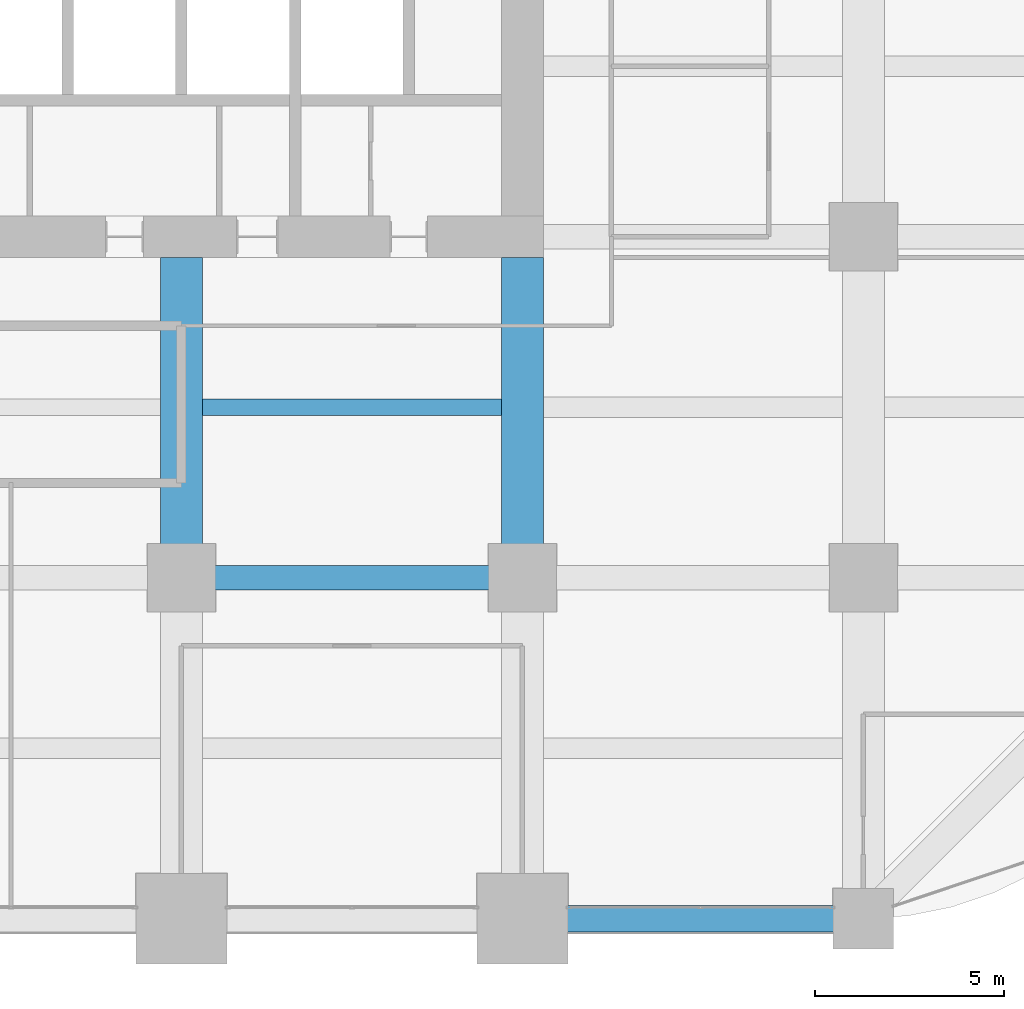
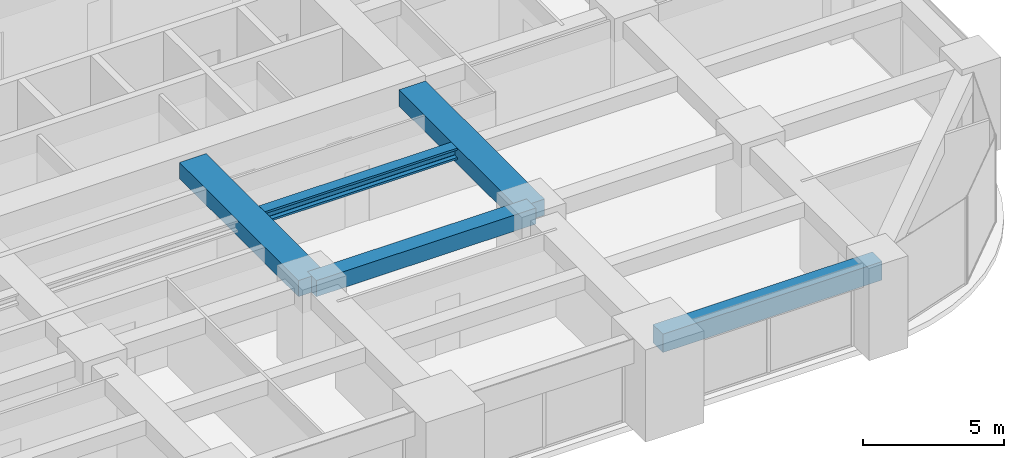
# One storey, part 15 of 39: 5 beams.
"""IFC4 building model written with IfcOpenShell, lengths in metres."""

from ifc_helpers import new_model, si_unit, direction, frame, origin, origin_2d, place, context, subcontext, project, spatial, rectangle, i_section, extrude, material, material_profile, profile_set, type_object, element, save


model = new_model("IFC4")

# Units and contexts
model_context = context("Model", 3, precision=1e-05, world=origin(), true_north=direction((0.0, 1.0)))
body_context = subcontext(model_context, "Body", "Model", "MODEL_VIEW")
ifc_project = project(units=[si_unit("LENGTHUNIT", "METRE"), si_unit("AREAUNIT", "SQUARE_METRE"), si_unit("VOLUMEUNIT", "CUBIC_METRE"), si_unit("PLANEANGLEUNIT", "RADIAN"), si_unit("MASSUNIT", "GRAM", prefix="KILO")], contexts=[model_context])

# Site, building, storey
site_placement = place(None, origin())
site = spatial("IfcSite", under=ifc_project, at=site_placement, CompositionType="ELEMENT")
building_placement = place(site_placement, origin())
building = spatial("IfcBuilding", under=site, at=building_placement, Name="Zorevar Civic Tower", CompositionType="ELEMENT")
storey_placement = place(building_placement, frame((0.0, 0.0, 125.0)))
storey = spatial("IfcBuildingStorey", under=building, at=storey_placement, Name="L30", CompositionType="ELEMENT", Elevation=125.0)

# Beams
ifc_material_1 = material(Name="Concrete C50/60", Category="concrete")
ifc_material_profile_1 = material_profile(ifc_material_1, rectangle(XDim=1.10009765625, YDim=0.699951171875, at=origin_2d()), Name="RC 1100x700")
ifc_profile_set_1 = profile_set([ifc_material_profile_1], Name="Concrete C50/60")
beam_type_1 = type_object("IfcBeamType", Name="Beam RC 1100x700", PredefinedType="BEAM", material=ifc_profile_set_1)
for number, where, z_axis, x_axis, name in (
    (1, (36.0, 9.0, 3.39990234375), (0.0, 1.0, 0.0), (-1.0, 0.0, 0.0), "Girder L31"),
    (2, (45.0, 9.0, 3.39990234375), (0.0, 1.0, 0.0), (-1.0, 0.0, 0.0), "Girder L31"),
):
    element("IfcBeam", number, at=place(storey_placement, frame(where, z_axis=z_axis, x_axis=x_axis)), inside=storey, type_object=beam_type_1, Name=name, PredefinedType="BEAM", context=body_context, shape_type="SweptSolid", body=[
        extrude(rectangle(XDim=1.10009765625, YDim=0.699951171875, at=origin_2d()), origin(), (0.0, 0.0, 1.0), 8.449951171875),
    ])
ifc_material_2 = material(Name="Concrete C50/60", Category="concrete")
ifc_material_profile_2 = material_profile(ifc_material_2, rectangle(XDim=0.64990234375, YDim=0.699951171875, at=origin_2d()), Name="RC 650x700")
ifc_profile_set_2 = profile_set([ifc_material_profile_2], Name="Concrete C50/60")
beam_type_2 = type_object("IfcBeamType", Name="Beam RC 650x700", PredefinedType="BEAM", material=ifc_profile_set_2)
beam_1_placement = place(storey_placement, frame((36.0, 9.0, 3.39990234375), z_axis=(1.0, 0.0, 0.0), x_axis=(0.0, 1.0, 0.0)))
element("IfcBeam", 3, at=beam_1_placement, inside=storey, type_object=beam_type_2, Name="Girder L31", PredefinedType="BEAM", context=body_context, shape_type="SweptSolid", body=[
    extrude(rectangle(XDim=0.64990234375, YDim=0.699951171875, at=origin_2d()), origin(), (0.0, 0.0, 1.0), 9.0),
])
ifc_material_3 = material(Name="Steel S460M (HISTAR 460)", Category="steel")
ifc_material_profile_3 = material_profile(ifc_material_3, i_section(OverallWidth=0.431884765625, OverallDepth=0.498046875, WebThickness=0.0556640625, FlangeThickness=0.0888671875, FilletRadius=0.014892578125, at=origin_2d()), Name="HD 400x744")
ifc_profile_set_3 = profile_set([ifc_material_profile_3], Name="Steel S460M (HISTAR 460)")
beam_type_3 = type_object("IfcBeamType", Name="Core bay beam HD 400x744", PredefinedType="BEAM", material=ifc_profile_set_3)
beam_2_placement = place(storey_placement, frame((36.550048828125, 13.5, 3.5009765625), z_axis=(1.0, 0.0, 0.0), x_axis=(0.0, 1.0, 0.0)))
element("IfcBeam", 4, at=beam_2_placement, inside=storey, type_object=beam_type_3, Name="Secondary beam L31", PredefinedType="BEAM", context=body_context, shape_type="SweptSolid", body=[
    extrude(i_section(OverallWidth=0.431884765625, OverallDepth=0.498046875, WebThickness=0.0556640625, FlangeThickness=0.0888671875, FilletRadius=0.014892578125, at=origin_2d()), origin(), (0.0, 0.0, 1.0), 7.89990234375),
])
ifc_material_4 = material(Name="Concrete C50/60", Category="concrete")
ifc_material_profile_4 = material_profile(ifc_material_4, rectangle(XDim=0.699951171875, YDim=0.800048828125, at=origin_2d()), Name="RC 700x800")
ifc_profile_set_4 = profile_set([ifc_material_profile_4], Name="Concrete C50/60")
beam_type_4 = type_object("IfcBeamType", Name="Edge beam RC 700x800", PredefinedType="SPANDREL", material=ifc_profile_set_4)
beam_3_placement = place(storey_placement, frame((45.0, 0.0, 3.35009765625), z_axis=(1.0, 0.0, 0.0), x_axis=(0.0, 1.0, 0.0)))
element("IfcBeam", 5, at=beam_3_placement, inside=storey, type_object=beam_type_4, Name="Edge beam L31", PredefinedType="SPANDREL", context=body_context, shape_type="SweptSolid", body=[
    extrude(rectangle(XDim=0.699951171875, YDim=0.800048828125, at=origin_2d()), origin(), (0.0, 0.0, 1.0), 9.0),
])

save(model, "model.ifc")
